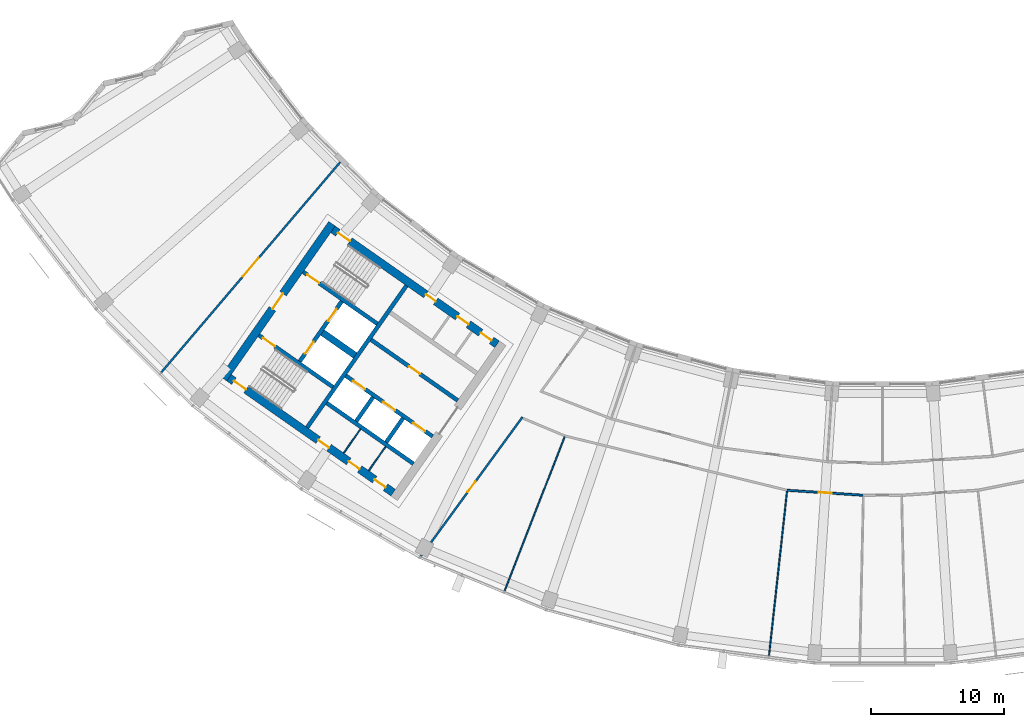
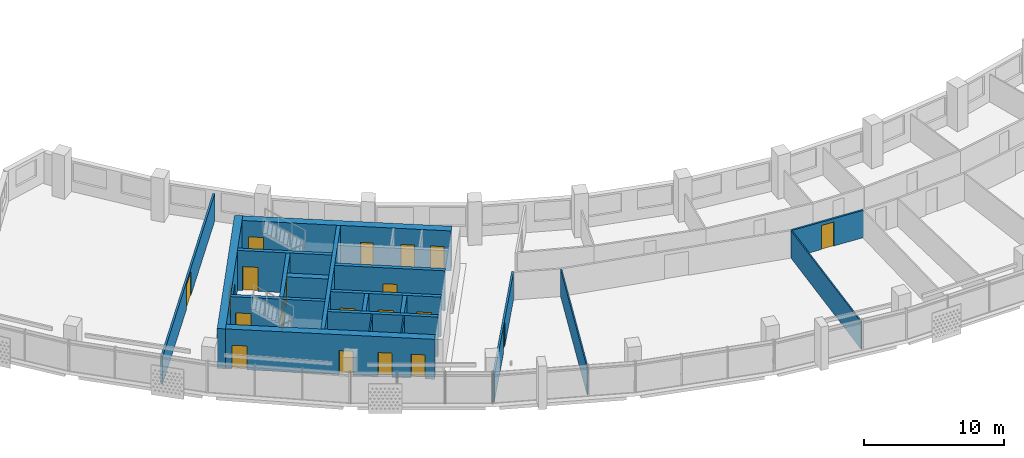
# One storey, part 3 of 28: 20 doors, 20 walls, 20 openings.
"""IFC4 building model written with IfcOpenShell, lengths in metres."""

from ifc_helpers import new_model, si_unit, direction, frame, frame_2d, origin, place, context, subcontext, project, spatial, rectangle, extrude, material, layer, layer_set, type_object, element, fill, save


model = new_model("IFC4")

# Units and contexts
model_context = context("Model", 3, precision=1e-05, world=origin(), true_north=direction((0.0, 1.0)))
body_context = subcontext(model_context, "Body", "Model", "MODEL_VIEW")
ifc_project = project(units=[si_unit("LENGTHUNIT", "METRE"), si_unit("AREAUNIT", "SQUARE_METRE"), si_unit("VOLUMEUNIT", "CUBIC_METRE"), si_unit("PLANEANGLEUNIT", "RADIAN"), si_unit("MASSUNIT", "GRAM", prefix="KILO")], contexts=[model_context])

# Site, building, storey
site_placement = place(None, origin())
site = spatial("IfcSite", under=ifc_project, at=site_placement, CompositionType="ELEMENT")
building_placement = place(site_placement, origin())
building = spatial("IfcBuilding", under=site, at=building_placement, Name="Qamariyya Broadcast Tower", CompositionType="ELEMENT")
storey_placement = place(building_placement, frame((0.0, 0.0, 230.300048828125)))
storey = spatial("IfcBuildingStorey", under=building, at=storey_placement, Name="L55", CompositionType="ELEMENT", Elevation=230.300048828125)

# Wall, opening, door
ifc_material_1 = material(Name="Concrete C60/75", Category="concrete")
ifc_layer_1 = layer(ifc_material_1, 0.60009765625)
ifc_layer_set_1 = layer_set([ifc_layer_1], Name="Core wall 600 mm Concrete C60/75")
wall_type_1 = type_object("IfcWallType", Name="Core wall 600 mm Concrete C60/75", PredefinedType="SHEAR", material=ifc_layer_set_1)
wall_1_placement = place(storey_placement, frame((-49.4833984375, -57.031494140625, 0.0), z_axis=(0.0, 0.0, 1.0), x_axis=(0.573560421458, 0.819163257805, 0.0)))
wall_1 = element("IfcWall", 1, at=wall_1_placement, inside=storey, type_object=wall_type_1, Name="k-W-L55-WH", PredefinedType="SHEAR", context=body_context, shape_type="SweptSolid", body=[
    extrude(rectangle(XDim=14.199951171875, YDim=0.60009765625, at=frame_2d((7.10009765625, 0.0))), origin(), (0.0, 0.0, 1.0), 3.5),
])
opening_1_placement = place(wall_1_placement, frame((6.39990234375, 0.0, 0.0)))
opening_1 = element("IfcOpeningElement", 2, at=opening_1_placement, cuts=wall_1, Name="Opening KD2-W1", PredefinedType="OPENING", context=body_context, shape_type="SweptSolid", body=[
    extrude(rectangle(XDim=1.39990234375, YDim=2.10009765625, at=frame_2d((0.699951171875, 1.050048828125))), frame((0.0, 0.31005859375, 0.0), z_axis=(0.0, -1.0, 0.0), x_axis=(1.0, 0.0, 0.0)), (0.0, 0.0, 1.0), 0.6201171875),
])
ifc_material_2 = material(Name="Steel fire-resisting door leaf", Category="steel")
door_type_1 = type_object("IfcDoorType", Name="Fire-fighting lobby door KD2", OperationType="DOUBLE_DOOR_SINGLE_SWING", PredefinedType="DOOR", material=ifc_material_2)
door_1_placement = place(opening_1_placement, origin())
door_1 = element("IfcDoor", 3, at=door_1_placement, inside=storey, type_object=door_type_1, Name="k-W-L55-WH-D14", OperationType="DOUBLE_DOOR_SINGLE_SWING", OverallHeight=2.10009765625, OverallWidth=1.39990234375, PredefinedType="DOOR", context=body_context, shape_type="SweptSolid", body=[
    extrude(rectangle(XDim=1.39990234375, YDim=2.10009765625, at=frame_2d((0.699951171875, 1.050048828125))), frame((0.0, 0.02490234375, 0.0), z_axis=(0.0, -1.0, 0.0), x_axis=(1.0, 0.0, 0.0)), (0.0, 0.0, 1.0), 0.050048828125),
])
fill(opening_1, door_1)

# Wall, openings, doors
wall_2_placement = place(storey_placement, frame((-28.940673828125, -54.447021484375, 0.0), z_axis=(0.0, 0.0, 1.0), x_axis=(-0.819153391756, 0.573574511963, 0.0)))
wall_2 = element("IfcWall", 4, at=wall_2_placement, inside=storey, type_object=wall_type_1, Name="k-W-L55-WI", PredefinedType="SHEAR", context=body_context, shape_type="SweptSolid", body=[
    extrude(rectangle(XDim=15.04541015625, YDim=0.60009765625, at=frame_2d((7.522705078125, 0.0))), origin(), (0.0, 0.0, 1.0), 3.5),
])
opening_2_placement = place(wall_2_placement, frame((0.5, 0.0, 0.0)))
opening_2 = element("IfcOpeningElement", 5, at=opening_2_placement, cuts=wall_2, Name="Opening KD6-W2", PredefinedType="OPENING", context=body_context, shape_type="SweptSolid", body=[
    extrude(rectangle(XDim=1.0, YDim=2.10009765625, at=frame_2d((0.5, 1.050048828125))), frame((0.0, 0.31005859375, 0.0), z_axis=(0.0, -1.0, 0.0), x_axis=(1.0, 0.0, 0.0)), (0.0, 0.0, 1.0), 0.6201171875),
])
opening_3_placement = place(wall_2_placement, frame((2.625, 0.0, 0.0)))
opening_3 = element("IfcOpeningElement", 6, at=opening_3_placement, cuts=wall_2, Name="Opening KD7-W1", PredefinedType="OPENING", context=body_context, shape_type="SweptSolid", body=[
    extrude(rectangle(XDim=1.0, YDim=2.10009765625, at=frame_2d((0.5, 1.050048828125))), frame((0.0, 0.31005859375, 0.0), z_axis=(0.0, -1.0, 0.0), x_axis=(1.0, 0.0, 0.0)), (0.0, 0.0, 1.0), 0.6201171875),
])
opening_4_placement = place(wall_2_placement, frame((5.625, 0.0, 0.0)))
opening_4 = element("IfcOpeningElement", 7, at=opening_4_placement, cuts=wall_2, Name="Opening KD5-W1", PredefinedType="OPENING", context=body_context, shape_type="SweptSolid", body=[
    extrude(rectangle(XDim=0.89990234375, YDim=2.10009765625, at=frame_2d((0.449951171875, 1.050048828125))), frame((0.0, 0.31005859375, 0.0), z_axis=(0.0, -1.0, 0.0), x_axis=(1.0, 0.0, 0.0)), (0.0, 0.0, 1.0), 0.6201171875),
])
opening_5_placement = place(wall_2_placement, frame((13.495361328125, 0.0, 0.0)))
opening_5 = element("IfcOpeningElement", 8, at=opening_5_placement, cuts=wall_2, Name="Opening KD1-W1", PredefinedType="OPENING", context=body_context, shape_type="SweptSolid", body=[
    extrude(rectangle(XDim=1.10009765625, YDim=2.10009765625, at=frame_2d((0.550048828125, 1.050048828125))), frame((0.0, 0.31005859375, 0.0), z_axis=(0.0, -1.0, 0.0), x_axis=(1.0, 0.0, 0.0)), (0.0, 0.0, 1.0), 0.6201171875),
])
door_type_2 = type_object("IfcDoorType", Name="Accessible toilet door KD7", OperationType="SINGLE_SWING_LEFT", PredefinedType="DOOR", material=ifc_material_2)
door_2_placement = place(opening_3_placement, origin())
door_2 = element("IfcDoor", 9, at=door_2_placement, inside=storey, type_object=door_type_2, Name="k-W-L55-WI-D7", OperationType="SINGLE_SWING_RIGHT", OverallHeight=2.10009765625, OverallWidth=1.0, PredefinedType="DOOR", context=body_context, shape_type="SweptSolid", body=[
    extrude(rectangle(XDim=1.0, YDim=2.10009765625, at=frame_2d((0.5, 1.050048828125))), frame((0.0, 0.02490234375, 0.0), z_axis=(0.0, -1.0, 0.0), x_axis=(1.0, 0.0, 0.0)), (0.0, 0.0, 1.0), 0.050048828125),
])
fill(opening_3, door_2)
door_type_3 = type_object("IfcDoorType", Name="Core room door KD6", OperationType="SINGLE_SWING_LEFT", PredefinedType="DOOR", material=ifc_material_2)
door_3_placement = place(opening_2_placement, origin())
door_3 = element("IfcDoor", 10, at=door_3_placement, inside=storey, type_object=door_type_3, Name="k-W-L55-WI-D6", OperationType="SINGLE_SWING_LEFT", OverallHeight=2.10009765625, OverallWidth=1.0, PredefinedType="DOOR", context=body_context, shape_type="SweptSolid", body=[
    extrude(rectangle(XDim=1.0, YDim=2.10009765625, at=frame_2d((0.5, 1.050048828125))), frame((0.0, 0.02490234375, 0.0), z_axis=(0.0, -1.0, 0.0), x_axis=(1.0, 0.0, 0.0)), (0.0, 0.0, 1.0), 0.050048828125),
])
fill(opening_2, door_3)
door_type_4 = type_object("IfcDoorType", Name="Stair door KD1", OperationType="SINGLE_SWING_LEFT", PredefinedType="DOOR", material=ifc_material_2)
door_4_placement = place(opening_5_placement, origin())
door_4 = element("IfcDoor", 11, at=door_4_placement, inside=storey, type_object=door_type_4, Name="k-W-L55-WI-D15", OperationType="SINGLE_SWING_RIGHT", OverallHeight=2.10009765625, OverallWidth=1.10009765625, PredefinedType="DOOR", context=body_context, shape_type="SweptSolid", body=[
    extrude(rectangle(XDim=1.10009765625, YDim=2.10009765625, at=frame_2d((0.550048828125, 1.050048828125))), frame((0.0, 0.02490234375, 0.0), z_axis=(0.0, -1.0, 0.0), x_axis=(1.0, 0.0, 0.0)), (0.0, 0.0, 1.0), 0.050048828125),
])
fill(opening_5, door_4)
door_type_5 = type_object("IfcDoorType", Name="Toilet door KD5", OperationType="SINGLE_SWING_LEFT", PredefinedType="DOOR", material=ifc_material_2)
door_5_placement = place(opening_4_placement, origin())
door_5 = element("IfcDoor", 12, at=door_5_placement, inside=storey, type_object=door_type_5, Name="k-W-L55-WI-D8", OperationType="SINGLE_SWING_LEFT", OverallHeight=2.10009765625, OverallWidth=0.89990234375, PredefinedType="DOOR", context=body_context, shape_type="SweptSolid", body=[
    extrude(rectangle(XDim=0.89990234375, YDim=2.10009765625, at=frame_2d((0.449951171875, 1.050048828125))), frame((0.0, 0.02490234375, 0.0), z_axis=(0.0, -1.0, 0.0), x_axis=(1.0, 0.0, 0.0)), (0.0, 0.0, 1.0), 0.050048828125),
])
fill(opening_4, door_5)

wall_3_placement = place(storey_placement, frame((-36.7412109375, -65.58740234375, 0.0), z_axis=(0.0, 0.0, 1.0), x_axis=(-0.819153391756, 0.573574511963, 0.0)))
wall_3 = element("IfcWall", 13, at=wall_3_placement, inside=storey, type_object=wall_type_1, Name="k-W-L55-WO", PredefinedType="SHEAR", context=body_context, shape_type="SweptSolid", body=[
    extrude(rectangle(XDim=15.04541015625, YDim=0.60009765625, at=frame_2d((7.522705078125, 0.0))), origin(), (0.0, 0.0, 1.0), 3.5),
])
opening_6_placement = place(wall_3_placement, frame((0.699951171875, 0.0, 0.0)))
opening_6 = element("IfcOpeningElement", 14, at=opening_6_placement, cuts=wall_3, Name="Opening KD6-W3", PredefinedType="OPENING", context=body_context, shape_type="SweptSolid", body=[
    extrude(rectangle(XDim=1.0, YDim=2.10009765625, at=frame_2d((0.5, 1.050048828125))), frame((0.0, 0.31005859375, 0.0), z_axis=(0.0, -1.0, 0.0), x_axis=(1.0, 0.0, 0.0)), (0.0, 0.0, 1.0), 0.6201171875),
])
opening_7_placement = place(wall_3_placement, frame((3.074951171875, 0.0, 0.0)))
opening_7 = element("IfcOpeningElement", 15, at=opening_7_placement, cuts=wall_3, Name="Opening KD4-W1", PredefinedType="OPENING", context=body_context, shape_type="SweptSolid", body=[
    extrude(rectangle(XDim=1.0, YDim=2.10009765625, at=frame_2d((0.5, 1.050048828125))), frame((0.0, 0.31005859375, 0.0), z_axis=(0.0, -1.0, 0.0), x_axis=(1.0, 0.0, 0.0)), (0.0, 0.0, 1.0), 0.6201171875),
])
opening_8_placement = place(wall_3_placement, frame((5.875, 0.0, 0.0)))
opening_8 = element("IfcOpeningElement", 16, at=opening_8_placement, cuts=wall_3, Name="Opening KD4-W2", PredefinedType="OPENING", context=body_context, shape_type="SweptSolid", body=[
    extrude(rectangle(XDim=1.0, YDim=2.10009765625, at=frame_2d((0.5, 1.050048828125))), frame((0.0, 0.31005859375, 0.0), z_axis=(0.0, -1.0, 0.0), x_axis=(1.0, 0.0, 0.0)), (0.0, 0.0, 1.0), 0.6201171875),
])
opening_9_placement = place(wall_3_placement, frame((13.495361328125, 0.0, 0.0)))
opening_9 = element("IfcOpeningElement", 17, at=opening_9_placement, cuts=wall_3, Name="Opening KD1-W3", PredefinedType="OPENING", context=body_context, shape_type="SweptSolid", body=[
    extrude(rectangle(XDim=1.10009765625, YDim=2.10009765625, at=frame_2d((0.550048828125, 1.050048828125))), frame((0.0, 0.31005859375, 0.0), z_axis=(0.0, -1.0, 0.0), x_axis=(1.0, 0.0, 0.0)), (0.0, 0.0, 1.0), 0.6201171875),
])
door_6_placement = place(opening_6_placement, origin())
door_6 = element("IfcDoor", 18, at=door_6_placement, inside=storey, type_object=door_type_3, Name="k-W-L55-WO-D9", OperationType="SINGLE_SWING_RIGHT", OverallHeight=2.10009765625, OverallWidth=1.0, PredefinedType="DOOR", context=body_context, shape_type="SweptSolid", body=[
    extrude(rectangle(XDim=1.0, YDim=2.10009765625, at=frame_2d((0.5, 1.050048828125))), frame((0.0, 0.02490234375, 0.0), z_axis=(0.0, -1.0, 0.0), x_axis=(1.0, 0.0, 0.0)), (0.0, 0.0, 1.0), 0.050048828125),
])
fill(opening_6, door_6)
door_type_6 = type_object("IfcDoorType", Name="Riser and plant door KD4", OperationType="SINGLE_SWING_LEFT", PredefinedType="DOOR", material=ifc_material_2)
door_7_placement = place(opening_7_placement, origin())
door_7 = element("IfcDoor", 19, at=door_7_placement, inside=storey, type_object=door_type_6, Name="k-W-L55-WO-D10", OperationType="SINGLE_SWING_LEFT", OverallHeight=2.10009765625, OverallWidth=1.0, PredefinedType="DOOR", context=body_context, shape_type="SweptSolid", body=[
    extrude(rectangle(XDim=1.0, YDim=2.10009765625, at=frame_2d((0.5, 1.050048828125))), frame((0.0, 0.02490234375, 0.0), z_axis=(0.0, -1.0, 0.0), x_axis=(1.0, 0.0, 0.0)), (0.0, 0.0, 1.0), 0.050048828125),
])
fill(opening_7, door_7)
door_8_placement = place(opening_8_placement, origin())
door_8 = element("IfcDoor", 20, at=door_8_placement, inside=storey, type_object=door_type_6, Name="k-W-L55-WO-D11", OperationType="SINGLE_SWING_RIGHT", OverallHeight=2.10009765625, OverallWidth=1.0, PredefinedType="DOOR", context=body_context, shape_type="SweptSolid", body=[
    extrude(rectangle(XDim=1.0, YDim=2.10009765625, at=frame_2d((0.5, 1.050048828125))), frame((0.0, 0.02490234375, 0.0), z_axis=(0.0, -1.0, 0.0), x_axis=(1.0, 0.0, 0.0)), (0.0, 0.0, 1.0), 0.050048828125),
])
fill(opening_8, door_8)
door_9_placement = place(opening_9_placement, origin())
door_9 = element("IfcDoor", 21, at=door_9_placement, inside=storey, type_object=door_type_4, Name="k-W-L55-WO-D17", OperationType="SINGLE_SWING_LEFT", OverallHeight=2.10009765625, OverallWidth=1.10009765625, PredefinedType="DOOR", context=body_context, shape_type="SweptSolid", body=[
    extrude(rectangle(XDim=1.10009765625, YDim=2.10009765625, at=frame_2d((0.550048828125, 1.050048828125))), frame((0.0, 0.02490234375, 0.0), z_axis=(0.0, -1.0, 0.0), x_axis=(1.0, 0.0, 0.0)), (0.0, 0.0, 1.0), 0.050048828125),
])
fill(opening_9, door_9)

# Wall, opening, door
ifc_material_3 = material(Name="Gypsum board partition")
ifc_layer_2 = layer(ifc_material_3, 0.14990234375)
ifc_layer_set_2 = layer_set([ifc_layer_2], Name="Corridor partition 150 EI 60")
wall_type_2 = type_object("IfcWallType", Name="Corridor partition 150 EI 60", PredefinedType="PARTITIONING", material=ifc_layer_set_2)
wall_4_placement = place(storey_placement, frame((-54.15283203125, -56.554931640625, 0.0), z_axis=(0.0, 0.0, 1.0), x_axis=(0.647962636986, 0.761672121762, 0.0)))
wall_4 = element("IfcWall", 22, at=wall_4_placement, inside=storey, type_object=wall_type_2, Name="Partition L55-001", PredefinedType="PARTITIONING", context=body_context, shape_type="SweptSolid", body=[
    extrude(rectangle(XDim=20.723388671875, YDim=0.14990234375, at=frame_2d((10.36181640625, 0.0))), origin(), (0.0, 0.0, 1.0), 2.39990234375),
])
opening_10_placement = place(wall_4_placement, frame((9.461669921875, 0.0, 0.0)))
opening_10 = element("IfcOpeningElement", 23, at=opening_10_placement, cuts=wall_4, Name="Opening L55-D15", PredefinedType="OPENING", context=body_context, shape_type="SweptSolid", body=[
    extrude(rectangle(XDim=1.800048828125, YDim=2.10009765625, at=frame_2d((0.89990234375, 1.050048828125))), frame((0.0, 0.0849609375, 0.0), z_axis=(0.0, -1.0, 0.0), x_axis=(1.0, 0.0, 0.0)), (0.0, 0.0, 1.0), 0.169921875),
])
ifc_material_4 = material(Name="Timber fire door leaf", Category="wood")
door_type_7 = type_object("IfcDoorType", Name="Double fire door 1800 x 2100 FD60", OperationType="NOTDEFINED", PredefinedType="DOOR", material=ifc_material_4)
door_10_placement = place(opening_10_placement, origin())
door_10 = element("IfcDoor", 24, at=door_10_placement, inside=storey, type_object=door_type_7, Name="Door L55-D15", OperationType="DOUBLE_DOOR_SINGLE_SWING", OverallHeight=2.10009765625, OverallWidth=1.800048828125, PredefinedType="DOOR", context=body_context, shape_type="SweptSolid", body=[
    extrude(rectangle(XDim=1.800048828125, YDim=2.10009765625, at=frame_2d((0.89990234375, 1.050048828125))), frame((0.0, 0.02490234375, 0.0), z_axis=(0.0, -1.0, 0.0), x_axis=(1.0, 0.0, 0.0)), (0.0, 0.0, 1.0), 0.050048828125),
])
fill(opening_10, door_10)

wall_5_placement = place(storey_placement, frame((-27.033447265625, -59.90966796875, 0.0), z_axis=(0.0, 0.0, 1.0), x_axis=(-0.589273648147, -0.807933516819, 0.0)))
wall_5 = element("IfcWall", 25, at=wall_5_placement, inside=storey, type_object=wall_type_2, Name="Partition L55-003", PredefinedType="PARTITIONING", context=body_context, shape_type="SweptSolid", body=[
    extrude(rectangle(XDim=12.956298828125, YDim=0.14990234375, at=frame_2d((6.47802734375, 0.0))), origin(), (0.0, 0.0, 1.0), 2.39990234375),
])
opening_11_placement = place(wall_5_placement, frame((5.97802734375, 0.0, 0.0)))
opening_11 = element("IfcOpeningElement", 26, at=opening_11_placement, cuts=wall_5, Name="Opening L55-D01", PredefinedType="OPENING", context=body_context, shape_type="SweptSolid", body=[
    extrude(rectangle(XDim=1.0, YDim=2.10009765625, at=frame_2d((0.5, 1.050048828125))), frame((0.0, 0.0849609375, 0.0), z_axis=(0.0, -1.0, 0.0), x_axis=(1.0, 0.0, 0.0)), (0.0, 0.0, 1.0), 0.169921875),
])
door_type_8 = type_object("IfcDoorType", Name="Fire door 1000 x 2100 FD60", OperationType="NOTDEFINED", PredefinedType="DOOR", material=ifc_material_4)
door_11_placement = place(opening_11_placement, origin())
door_11 = element("IfcDoor", 27, at=door_11_placement, inside=storey, type_object=door_type_8, Name="Door L55-D01", OperationType="SINGLE_SWING_RIGHT", OverallHeight=2.10009765625, OverallWidth=1.0, PredefinedType="DOOR", context=body_context, shape_type="SweptSolid", body=[
    extrude(rectangle(XDim=1.0, YDim=2.10009765625, at=frame_2d((0.5, 1.050048828125))), frame((0.0, 0.02490234375, 0.0), z_axis=(0.0, -1.0, 0.0), x_axis=(1.0, 0.0, 0.0)), (0.0, 0.0, 1.0), 0.050048828125),
])
fill(opening_11, door_11)

wall_6_placement = place(storey_placement, frame((-1.437255859375, -65.7841796875, 0.0), z_axis=(0.0, 0.0, 1.0), x_axis=(-0.997861137906, 0.065369331165, 0.0)))
wall_6 = element("IfcWall", 28, at=wall_6_placement, inside=storey, type_object=wall_type_2, Name="Partition L55-013", PredefinedType="PARTITIONING", context=body_context, shape_type="SweptSolid", body=[
    extrude(rectangle(XDim=5.736572265625, YDim=0.14990234375, at=frame_2d((2.8681640625, 0.0))), origin(), (0.0, 0.0, 1.0), 2.39990234375),
])
opening_12_placement = place(wall_6_placement, frame((2.368408203125, 0.0, 0.0)))
opening_12 = element("IfcOpeningElement", 29, at=opening_12_placement, cuts=wall_6, Name="Opening L55-D03", PredefinedType="OPENING", context=body_context, shape_type="SweptSolid", body=[
    extrude(rectangle(XDim=1.0, YDim=2.10009765625, at=frame_2d((0.5, 1.050048828125))), frame((0.0, 0.0849609375, 0.0), z_axis=(0.0, -1.0, 0.0), x_axis=(1.0, 0.0, 0.0)), (0.0, 0.0, 1.0), 0.169921875),
])
door_12_placement = place(opening_12_placement, origin())
door_12 = element("IfcDoor", 30, at=door_12_placement, inside=storey, type_object=door_type_8, Name="Door L55-D03", OperationType="SINGLE_SWING_RIGHT", OverallHeight=2.10009765625, OverallWidth=1.0, PredefinedType="DOOR", context=body_context, shape_type="SweptSolid", body=[
    extrude(rectangle(XDim=1.0, YDim=2.10009765625, at=frame_2d((0.5, 1.050048828125))), frame((0.0, 0.02490234375, 0.0), z_axis=(0.0, -1.0, 0.0), x_axis=(1.0, 0.0, 0.0)), (0.0, 0.0, 1.0), 0.050048828125),
])
fill(opening_12, door_12)

# Walls
ifc_layer_3 = layer(ifc_material_1, 0.5)
ifc_layer_set_3 = layer_set([ifc_layer_3], Name="Fire-fighting lobby divider wall 500 mm Concrete C60/75")
wall_type_3 = type_object("IfcWallType", Name="Fire-fighting lobby divider wall 500 mm Concrete C60/75", PredefinedType="SOLIDWALL", material=ifc_layer_set_3)
wall_7_placement = place(storey_placement, frame((-39.59912109375, -55.28515625, 0.0), z_axis=(0.0, 0.0, 1.0), x_axis=(-0.819136323161, 0.573598887793, 0.0)))
element("IfcWall", 31, at=wall_7_placement, inside=storey, type_object=wall_type_3, Name="k-W-L55-FD", PredefinedType="SOLIDWALL", context=body_context, shape_type="SweptSolid", body=[
    extrude(rectangle(XDim=2.999755859375, YDim=0.5, at=frame_2d((1.5, 0.0))), origin(), (0.0, 0.0, 1.0), 3.5),
])
ifc_layer_4 = layer(ifc_material_1, 0.300048828125)
ifc_layer_set_4 = layer_set([ifc_layer_4], Name="Lift shaft wall 300 mm Concrete C60/75")
wall_type_4 = type_object("IfcWallType", Name="Lift shaft wall 300 mm Concrete C60/75", PredefinedType="SOLIDWALL", material=ifc_layer_set_4)
wall_8_placement = place(storey_placement, frame((-43.204345703125, -60.69580078125, 0.0), z_axis=(0.0, 0.0, 1.0), x_axis=(0.573571992966, 0.819155155563, 0.0)))
element("IfcWall", 32, at=wall_8_placement, inside=storey, type_object=wall_type_4, Name="k-W-L55-WL", PredefinedType="SOLIDWALL", context=body_context, shape_type="SweptSolid", body=[
    extrude(rectangle(XDim=13.000244140625, YDim=0.300048828125, at=frame_2d((6.5, 0.0))), origin(), (0.0, 0.0, 1.0), 3.5),
])

# Wall, opening, door
wall_9_placement = place(storey_placement, frame((-31.89453125, -58.66552734375, 0.0), z_axis=(0.0, 0.0, 1.0), x_axis=(-0.819166993208, 0.573555086491, 0.0)))
wall_9 = element("IfcWall", 33, at=wall_9_placement, inside=storey, type_object=wall_type_4, Name="k-W-L55-NF0", PredefinedType="SOLIDWALL", context=body_context, shape_type="SweptSolid", body=[
    extrude(rectangle(XDim=7.9501953125, YDim=0.300048828125, at=frame_2d((3.97509765625, 0.0))), origin(), (0.0, 0.0, 1.0), 3.5),
])
opening_13_placement = place(wall_9_placement, frame((3.47509765625, 0.0, 0.0)))
opening_13 = element("IfcOpeningElement", 34, at=opening_13_placement, cuts=wall_9, Name="Opening KD6-W1", PredefinedType="OPENING", context=body_context, shape_type="SweptSolid", body=[
    extrude(rectangle(XDim=1.0, YDim=2.10009765625, at=frame_2d((0.5, 1.050048828125))), frame((0.0, 0.159912109375, 0.0), z_axis=(0.0, -1.0, 0.0), x_axis=(1.0, 0.0, 0.0)), (0.0, 0.0, 1.0), 0.320068359375),
])
door_13_placement = place(opening_13_placement, origin())
door_13 = element("IfcDoor", 35, at=door_13_placement, inside=storey, type_object=door_type_3, Name="k-W-L55-NF0-D2", OperationType="SINGLE_SWING_LEFT", OverallHeight=2.10009765625, OverallWidth=1.0, PredefinedType="DOOR", context=body_context, shape_type="SweptSolid", body=[
    extrude(rectangle(XDim=1.0, YDim=2.10009765625, at=frame_2d((0.5, 1.050048828125))), frame((0.0, 0.02490234375, 0.0), z_axis=(0.0, -1.0, 0.0), x_axis=(1.0, 0.0, 0.0)), (0.0, 0.0, 1.0), 0.050048828125),
])
fill(opening_13, door_13)

# Wall, openings, doors
wall_10_placement = place(storey_placement, frame((-33.787353515625, -61.368896484375, 0.0), z_axis=(0.0, 0.0, 1.0), x_axis=(-0.819152564888, 0.573575692858, 0.0)))
wall_10 = element("IfcWall", 36, at=wall_10_placement, inside=storey, type_object=wall_type_4, Name="k-W-L55-SF0", PredefinedType="SOLIDWALL", context=body_context, shape_type="SweptSolid", body=[
    extrude(rectangle(XDim=7.9501953125, YDim=0.300048828125, at=frame_2d((3.97509765625, 0.0))), origin(), (0.0, 0.0, 1.0), 3.5),
])
opening_14_placement = place(wall_10_placement, frame((0.675048828125, 0.0, 0.0)))
opening_14 = element("IfcOpeningElement", 37, at=opening_14_placement, cuts=wall_10, Name="Opening LD", PredefinedType="OPENING", context=body_context, shape_type="SweptSolid", body=[
    extrude(rectangle(XDim=1.10009765625, YDim=2.10009765625, at=frame_2d((0.550048828125, 1.050048828125))), frame((0.0, 0.159912109375, 0.0), z_axis=(0.0, -1.0, 0.0), x_axis=(1.0, 0.0, 0.0)), (0.0, 0.0, 1.0), 0.320068359375),
])
opening_15_placement = place(wall_10_placement, frame((3.425048828125, 0.0, 0.0)))
opening_15 = element("IfcOpeningElement", 38, at=opening_15_placement, cuts=wall_10, Name="Opening LD", PredefinedType="OPENING", context=body_context, shape_type="SweptSolid", body=[
    extrude(rectangle(XDim=1.10009765625, YDim=2.10009765625, at=frame_2d((0.550048828125, 1.050048828125))), frame((0.0, 0.159912109375, 0.0), z_axis=(0.0, -1.0, 0.0), x_axis=(1.0, 0.0, 0.0)), (0.0, 0.0, 1.0), 0.320068359375),
])
opening_16_placement = place(wall_10_placement, frame((6.175048828125, 0.0, 0.0)))
opening_16 = element("IfcOpeningElement", 39, at=opening_16_placement, cuts=wall_10, Name="Opening LD", PredefinedType="OPENING", context=body_context, shape_type="SweptSolid", body=[
    extrude(rectangle(XDim=1.10009765625, YDim=2.10009765625, at=frame_2d((0.550048828125, 1.050048828125))), frame((0.0, 0.159912109375, 0.0), z_axis=(0.0, -1.0, 0.0), x_axis=(1.0, 0.0, 0.0)), (0.0, 0.0, 1.0), 0.320068359375),
])
door_type_9 = type_object("IfcDoorType", Name="Lift landing door LD", OperationType="DOUBLE_DOOR_SLIDING", PredefinedType="DOOR", material=ifc_material_2)
door_14_placement = place(opening_14_placement, origin())
door_14 = element("IfcDoor", 40, at=door_14_placement, inside=storey, type_object=door_type_9, Name="k-W-L55-SF0-D3", OperationType="DOUBLE_DOOR_SLIDING", OverallHeight=2.10009765625, OverallWidth=1.10009765625, PredefinedType="DOOR", context=body_context, shape_type="SweptSolid", body=[
    extrude(rectangle(XDim=1.10009765625, YDim=2.10009765625, at=frame_2d((0.550048828125, 1.050048828125))), frame((0.0, 0.02490234375, 0.0), z_axis=(0.0, -1.0, 0.0), x_axis=(1.0, 0.0, 0.0)), (0.0, 0.0, 1.0), 0.050048828125),
])
fill(opening_14, door_14)
door_15_placement = place(opening_15_placement, origin())
door_15 = element("IfcDoor", 41, at=door_15_placement, inside=storey, type_object=door_type_9, Name="k-W-L55-SF0-D4", OperationType="DOUBLE_DOOR_SLIDING", OverallHeight=2.10009765625, OverallWidth=1.10009765625, PredefinedType="DOOR", context=body_context, shape_type="SweptSolid", body=[
    extrude(rectangle(XDim=1.10009765625, YDim=2.10009765625, at=frame_2d((0.550048828125, 1.050048828125))), frame((0.0, 0.02490234375, 0.0), z_axis=(0.0, -1.0, 0.0), x_axis=(1.0, 0.0, 0.0)), (0.0, 0.0, 1.0), 0.050048828125),
])
fill(opening_15, door_15)
door_16_placement = place(opening_16_placement, origin())
door_16 = element("IfcDoor", 42, at=door_16_placement, inside=storey, type_object=door_type_9, Name="k-W-L55-SF0-D5", OperationType="DOUBLE_DOOR_SLIDING", OverallHeight=2.10009765625, OverallWidth=1.10009765625, PredefinedType="DOOR", context=body_context, shape_type="SweptSolid", body=[
    extrude(rectangle(XDim=1.10009765625, YDim=2.10009765625, at=frame_2d((0.550048828125, 1.050048828125))), frame((0.0, 0.02490234375, 0.0), z_axis=(0.0, -1.0, 0.0), x_axis=(1.0, 0.0, 0.0)), (0.0, 0.0, 1.0), 0.050048828125),
])
fill(opening_16, door_16)

# Walls
wall_11_placement = place(storey_placement, frame((-35.22119140625, -63.41650390625, 0.0), z_axis=(0.0, 0.0, 1.0), x_axis=(-0.819166993208, 0.573555086491, 0.0)))
element("IfcWall", 43, at=wall_11_placement, inside=storey, type_object=wall_type_4, Name="k-W-L55-SB0", PredefinedType="SOLIDWALL", context=body_context, shape_type="SweptSolid", body=[
    extrude(rectangle(XDim=7.9501953125, YDim=0.300048828125, at=frame_2d((3.97509765625, 0.0))), origin(), (0.0, 0.0, 1.0), 3.5),
])
wall_12_placement = place(storey_placement, frame((-36.003173828125, -60.000244140625, 0.0), z_axis=(0.0, 0.0, 1.0), x_axis=(-0.573581496053, -0.819148501424, 0.0)))
element("IfcWall", 44, at=wall_12_placement, inside=storey, type_object=wall_type_4, Name="k-W-L55-SD0", PredefinedType="SOLIDWALL", context=body_context, shape_type="SweptSolid", body=[
    extrude(rectangle(XDim=2.2001953125, YDim=0.300048828125, at=frame_2d((1.10009765625, 0.0))), origin(), (0.0, 0.0, 1.0), 3.5),
])
wall_13_placement = place(storey_placement, frame((-38.255859375, -58.423095703125, 0.0), z_axis=(0.0, 0.0, 1.0), x_axis=(-0.573633636671, -0.819111989218, 0.0)))
element("IfcWall", 45, at=wall_13_placement, inside=storey, type_object=wall_type_4, Name="k-W-L55-SD1", PredefinedType="SOLIDWALL", context=body_context, shape_type="SweptSolid", body=[
    extrude(rectangle(XDim=2.199951171875, YDim=0.300048828125, at=frame_2d((1.10009765625, 0.0))), origin(), (0.0, 0.0, 1.0), 3.5),
])

# Wall, opening, door
wall_14_placement = place(storey_placement, frame((-37.935546875, -52.90966796875, 0.0), z_axis=(0.0, 0.0, 1.0), x_axis=(-0.819147518138, 0.57358290031, 0.0)))
wall_14 = element("IfcWall", 46, at=wall_14_placement, inside=storey, type_object=wall_type_4, Name="k-W-L55-NW", PredefinedType="SOLIDWALL", context=body_context, shape_type="SweptSolid", body=[
    extrude(rectangle(XDim=6.79541015625, YDim=0.300048828125, at=frame_2d((3.397705078125, 0.0))), origin(), (0.0, 0.0, 1.0), 3.5),
])
opening_17_placement = place(wall_14_placement, frame((5.3203125, 0.0, 0.0)))
opening_17 = element("IfcOpeningElement", 47, at=opening_17_placement, cuts=wall_14, Name="Opening KD1-W2", PredefinedType="OPENING", context=body_context, shape_type="SweptSolid", body=[
    extrude(rectangle(XDim=1.10009765625, YDim=2.10009765625, at=frame_2d((0.550048828125, 1.050048828125))), frame((0.0, 0.159912109375, 0.0), z_axis=(0.0, -1.0, 0.0), x_axis=(1.0, 0.0, 0.0)), (0.0, 0.0, 1.0), 0.320068359375),
])
door_17_placement = place(opening_17_placement, origin())
door_17 = element("IfcDoor", 48, at=door_17_placement, inside=storey, type_object=door_type_4, Name="k-W-L55-NW-D16", OperationType="SINGLE_SWING_LEFT", OverallHeight=2.10009765625, OverallWidth=1.10009765625, PredefinedType="DOOR", context=body_context, shape_type="SweptSolid", body=[
    extrude(rectangle(XDim=1.10009765625, YDim=2.10009765625, at=frame_2d((0.550048828125, 1.050048828125))), frame((0.0, 0.02490234375, 0.0), z_axis=(0.0, -1.0, 0.0), x_axis=(1.0, 0.0, 0.0)), (0.0, 0.0, 1.0), 0.050048828125),
])
fill(opening_17, door_17)

wall_15_placement = place(storey_placement, frame((-41.262451171875, -57.66064453125, 0.0), z_axis=(0.0, 0.0, 1.0), x_axis=(-0.819164398642, 0.573558792102, 0.0)))
wall_15 = element("IfcWall", 49, at=wall_15_placement, inside=storey, type_object=wall_type_4, Name="k-W-L55-SW", PredefinedType="SOLIDWALL", context=body_context, shape_type="SweptSolid", body=[
    extrude(rectangle(XDim=6.795166015625, YDim=0.300048828125, at=frame_2d((3.3974609375, 0.0))), origin(), (0.0, 0.0, 1.0), 3.5),
])
opening_18_placement = place(wall_15_placement, frame((5.3203125, 0.0, 0.0)))
opening_18 = element("IfcOpeningElement", 50, at=opening_18_placement, cuts=wall_15, Name="Opening KD1-W4", PredefinedType="OPENING", context=body_context, shape_type="SweptSolid", body=[
    extrude(rectangle(XDim=1.10009765625, YDim=2.10009765625, at=frame_2d((0.550048828125, 1.050048828125))), frame((0.0, 0.159912109375, 0.0), z_axis=(0.0, -1.0, 0.0), x_axis=(1.0, 0.0, 0.0)), (0.0, 0.0, 1.0), 0.320068359375),
])
door_18_placement = place(opening_18_placement, origin())
door_18 = element("IfcDoor", 51, at=door_18_placement, inside=storey, type_object=door_type_4, Name="k-W-L55-SW-D18", OperationType="SINGLE_SWING_LEFT", OverallHeight=2.10009765625, OverallWidth=1.10009765625, PredefinedType="DOOR", context=body_context, shape_type="SweptSolid", body=[
    extrude(rectangle(XDim=1.10009765625, YDim=2.10009765625, at=frame_2d((0.550048828125, 1.050048828125))), frame((0.0, 0.02490234375, 0.0), z_axis=(0.0, -1.0, 0.0), x_axis=(1.0, 0.0, 0.0)), (0.0, 0.0, 1.0), 0.050048828125),
])
fill(opening_18, door_18)

# Wall, openings, doors
wall_16_placement = place(storey_placement, frame((-43.756591796875, -55.731201171875, 0.0), z_axis=(0.0, 0.0, 1.0), x_axis=(0.573536818435, 0.819179783625, 0.0)))
wall_16 = element("IfcWall", 52, at=wall_16_placement, inside=storey, type_object=wall_type_4, Name="k-W-L55-FF", PredefinedType="SOLIDWALL", context=body_context, shape_type="SweptSolid", body=[
    extrude(rectangle(XDim=5.500244140625, YDim=0.300048828125, at=frame_2d((2.75, 0.0))), origin(), (0.0, 0.0, 1.0), 3.5),
])
opening_19_placement = place(wall_16_placement, frame((0.699951171875, 0.0, 0.0)))
opening_19 = element("IfcOpeningElement", 53, at=opening_19_placement, cuts=wall_16, Name="Opening LD", PredefinedType="OPENING", context=body_context, shape_type="SweptSolid", body=[
    extrude(rectangle(XDim=1.10009765625, YDim=2.10009765625, at=frame_2d((0.550048828125, 1.050048828125))), frame((0.0, 0.159912109375, 0.0), z_axis=(0.0, -1.0, 0.0), x_axis=(1.0, 0.0, 0.0)), (0.0, 0.0, 1.0), 0.320068359375),
])
opening_20_placement = place(wall_16_placement, frame((3.699951171875, 0.0, 0.0)))
opening_20 = element("IfcOpeningElement", 54, at=opening_20_placement, cuts=wall_16, Name="Opening LD", PredefinedType="OPENING", context=body_context, shape_type="SweptSolid", body=[
    extrude(rectangle(XDim=1.10009765625, YDim=2.10009765625, at=frame_2d((0.550048828125, 1.050048828125))), frame((0.0, 0.159912109375, 0.0), z_axis=(0.0, -1.0, 0.0), x_axis=(1.0, 0.0, 0.0)), (0.0, 0.0, 1.0), 0.320068359375),
])
door_19_placement = place(opening_19_placement, origin())
door_19 = element("IfcDoor", 55, at=door_19_placement, inside=storey, type_object=door_type_9, Name="k-W-L55-FF-D12", OperationType="DOUBLE_DOOR_SLIDING", OverallHeight=2.10009765625, OverallWidth=1.10009765625, PredefinedType="DOOR", context=body_context, shape_type="SweptSolid", body=[
    extrude(rectangle(XDim=1.10009765625, YDim=2.10009765625, at=frame_2d((0.550048828125, 1.050048828125))), frame((0.0, 0.02490234375, 0.0), z_axis=(0.0, -1.0, 0.0), x_axis=(1.0, 0.0, 0.0)), (0.0, 0.0, 1.0), 0.050048828125),
])
fill(opening_19, door_19)
door_20_placement = place(opening_20_placement, origin())
door_20 = element("IfcDoor", 56, at=door_20_placement, inside=storey, type_object=door_type_9, Name="k-W-L55-FF-D13", OperationType="DOUBLE_DOOR_SLIDING", OverallHeight=2.10009765625, OverallWidth=1.10009765625, PredefinedType="DOOR", context=body_context, shape_type="SweptSolid", body=[
    extrude(rectangle(XDim=1.10009765625, YDim=2.10009765625, at=frame_2d((0.550048828125, 1.050048828125))), frame((0.0, 0.02490234375, 0.0), z_axis=(0.0, -1.0, 0.0), x_axis=(1.0, 0.0, 0.0)), (0.0, 0.0, 1.0), 0.050048828125),
])
fill(opening_20, door_20)

# Walls
ifc_layer_5 = layer(ifc_material_3, 0.10009765625)
ifc_layer_set_5 = layer_set([ifc_layer_5], Name="Partition 100")
wall_type_5 = type_object("IfcWallType", Name="Partition 100", PredefinedType="PARTITIONING", material=ifc_layer_set_5)
for number, where, z_axis, x_axis, name in (
    (57, (-28.376953125, -72.977294921875, 0.0), (0.0, 0.0, 1.0), (0.362402643561, 0.932021632764, 0.0), "Partition L55-002"),
    (58, (-8.522216796875, -77.835205078125, 0.0), (0.0, 0.0, 1.0), (0.108852796, 0.994057880006, 0.0), "Partition L55-012"),
):
    element("IfcWall", number, at=place(storey_placement, frame(where, z_axis=z_axis, x_axis=x_axis)), inside=storey, type_object=wall_type_5, Name=name, PredefinedType="PARTITIONING", context=body_context, shape_type="SweptSolid", body=[
        extrude(rectangle(XDim=12.42529296875, YDim=0.10009765625, at=frame_2d((6.212646484375, 0.0))), origin(), (0.0, 0.0, 1.0), 2.39990234375),
    ])
ifc_material_5 = material(Name="Fire-rated gypsum shaft liner on steel studs", Category="steel")
ifc_layer_6 = layer(ifc_material_5, 0.10009765625)
ifc_layer_set_6 = layer_set([ifc_layer_6], Name="Riser wall 100 mm")
wall_type_6 = type_object("IfcWallType", Name="Riser wall 100 mm", PredefinedType="PLUMBINGWALL", material=ifc_layer_set_6)
wall_17_placement = place(storey_placement, frame((-37.314208984375, -62.13427734375, 0.0), z_axis=(0.0, 0.0, 1.0), x_axis=(-0.573633636671, -0.819111989218, 0.0)))
element("IfcWall", 59, at=wall_17_placement, inside=storey, type_object=wall_type_6, Name="k-W-L55-SP245", PredefinedType="PLUMBINGWALL", context=body_context, shape_type="SweptSolid", body=[
    extrude(rectangle(XDim=2.199951171875, YDim=0.10009765625, at=frame_2d((1.10009765625, 0.0))), origin(), (0.0, 0.0, 1.0), 3.5),
])
wall_18_placement = place(storey_placement, frame((-39.1982421875, -60.81494140625, 0.0), z_axis=(0.0, 0.0, 1.0), x_axis=(-0.573581496053, -0.819148501424, 0.0)))
element("IfcWall", 60, at=wall_18_placement, inside=storey, type_object=wall_type_6, Name="k-W-L55-SP475", PredefinedType="PLUMBINGWALL", context=body_context, shape_type="SweptSolid", body=[
    extrude(rectangle(XDim=2.2001953125, YDim=0.10009765625, at=frame_2d((1.10009765625, 0.0))), origin(), (0.0, 0.0, 1.0), 3.5),
])

save(model, "model.ifc")
